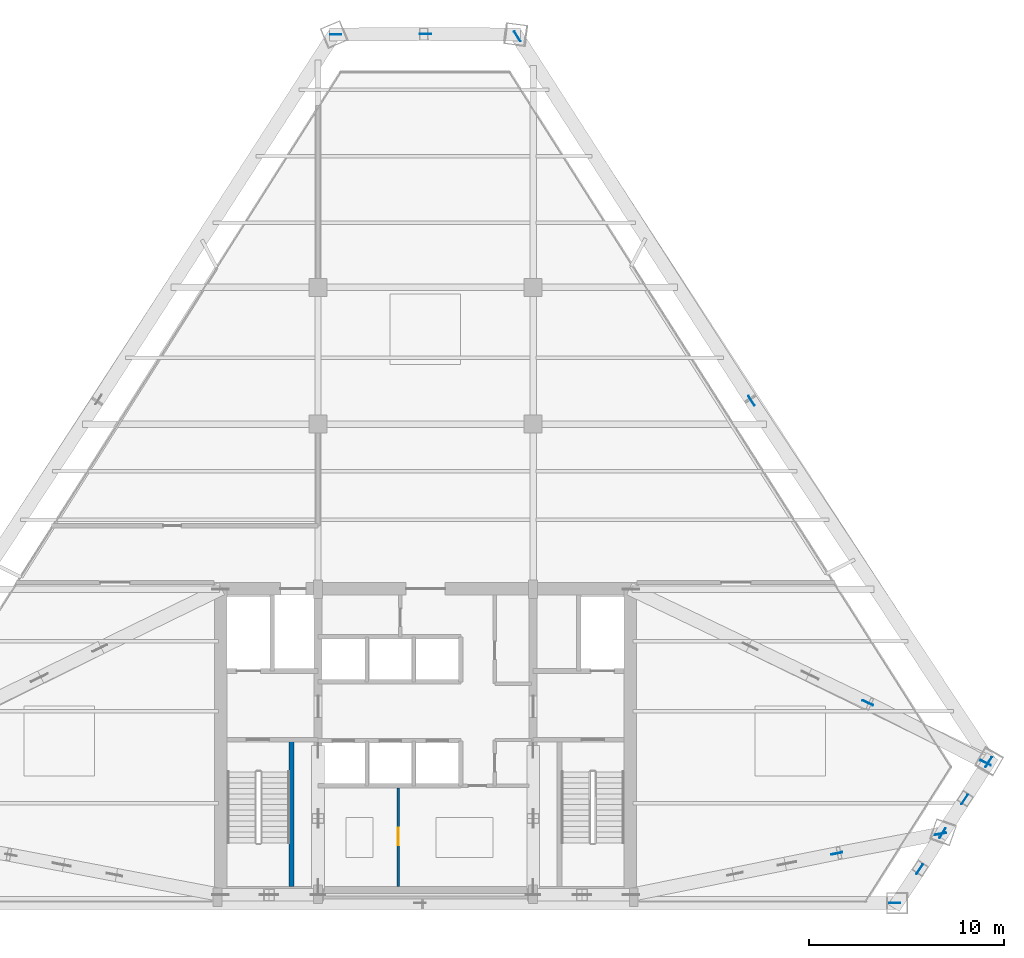
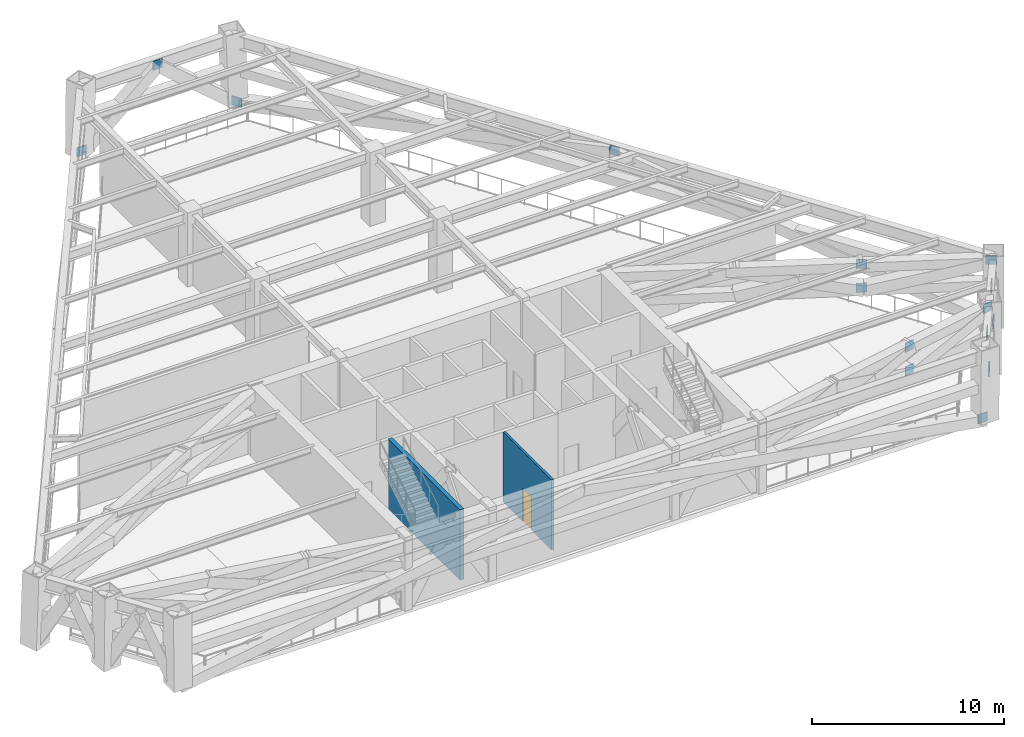
# One storey, part 5 of 9: 15 plates, 2 walls, 1 door, 1 opening.
"""IFC4 building model written with IfcOpenShell, lengths in metres."""

import ifcopenshell
import ifcopenshell.guid

model = None  # the IFC model being written
_history = None  # IfcOwnerHistory: only IFC2X3 demands one
_inside = {}  # id of a spatial element -> (the spatial element, [elements in it])
_under = {}  # id of a project, library or spatial element -> (it, [spatial elements below it])
_declared = {}  # id of a project -> (the project, [libraries it declares])
_typed = {}  # id of a type object -> (the type object, [elements of that type])
_made_of = {}  # id of a material, layer set ... -> (it, [elements and type objects made of it])


def new_model(schema):
    """Start an empty IFC model of exactly this schema.

    Asked for "IFC4X3", IfcOpenShell would pick the latest addendum, in which some entities
    have other attributes; the version numbers below select the first issue.
    IFC2X3 requires an IfcOwnerHistory on every rooted entity: one is made here for all.
    """
    global model, _history
    if schema == "IFC4X3":
        model = ifcopenshell.file(schema_version=(4, 3, 0, 0))
    else:
        model = ifcopenshell.file(schema=schema)
    _inside.clear()
    _under.clear()
    _declared.clear()
    _typed.clear()
    _made_of.clear()
    _history = None
    if model.schema == "IFC2X3":
        org = make("IfcOrganization", Name="unknown")
        user = make(
            "IfcPersonAndOrganization",
            ThePerson=make("IfcPerson", FamilyName="unknown"),
            TheOrganization=org,
        )
        app = make(
            "IfcApplication",
            ApplicationDeveloper=org,
            Version="unknown",
            ApplicationFullName="unknown",
            ApplicationIdentifier="unknown",
        )
        _history = make(
            "IfcOwnerHistory",
            OwningUser=user,
            OwningApplication=app,
            ChangeAction="ADDED",
            CreationDate=0,
        )
    return model


def make(cls, **values):
    """One entity of the class cls with the attributes given. An attribute that is None is left unset."""
    return model.create_entity(
        cls, **{name: value for name, value in values.items() if value is not None}
    )


def rooted(cls, **values):
    """An entity with a GlobalId (a new one), such as an element, a storey or a relation."""
    return make(cls, GlobalId=ifcopenshell.guid.new(), OwnerHistory=_history, **values)


def si_unit(unit_type, name, prefix=None):
    """IfcSIUnit, for example si_unit("LENGTHUNIT", "METRE", prefix="MILLI")."""
    return make("IfcSIUnit", UnitType=unit_type, Prefix=prefix, Name=name)


def assignment(units):
    """IfcUnitAssignment: the units of a project."""
    return None if units is None else make("IfcUnitAssignment", Units=units)


def point(xyz):
    """IfcCartesianPoint."""
    return None if xyz is None else make("IfcCartesianPoint", Coordinates=xyz)


def direction(xyz):
    """IfcDirection."""
    return None if xyz is None else make("IfcDirection", DirectionRatios=xyz)


def frame(location, z_axis=None, x_axis=None):
    """IfcAxis2Placement3D, a coordinate frame: its origin and axes. An axis left out is left unset."""
    return make(
        "IfcAxis2Placement3D",
        Location=point(location),
        Axis=direction(z_axis),
        RefDirection=direction(x_axis),
    )


def frame_2d(location, x_axis=None):
    """IfcAxis2Placement2D, a coordinate frame in the plane: its origin and x axis."""
    return make(
        "IfcAxis2Placement2D", Location=point(location), RefDirection=direction(x_axis)
    )


def origin():
    """The frame at (0, 0, 0) with its axes left unset."""
    return frame((0.0, 0.0, 0.0))


def origin_2d():
    """The frame at (0, 0) in the plane with its x axis left unset."""
    return frame_2d((0.0, 0.0))


def place(relative_to, where):
    """IfcLocalPlacement: puts the frame where relative to a parent placement (None: the world)."""
    return make(
        "IfcLocalPlacement", PlacementRelTo=relative_to, RelativePlacement=where
    )


def context(
    kind, dimensions, precision=None, world=None, true_north=None, identifier=None
):
    """IfcGeometricRepresentationContext, for example the 3D "Model" context."""
    return make(
        "IfcGeometricRepresentationContext",
        ContextIdentifier=identifier,
        ContextType=kind,
        CoordinateSpaceDimension=dimensions,
        Precision=precision,
        WorldCoordinateSystem=world,
        TrueNorth=true_north,
    )


def subcontext(parent, identifier, kind, view, scale=None):
    """IfcGeometricRepresentationSubContext, for example "Body" below "Model"."""
    return make(
        "IfcGeometricRepresentationSubContext",
        ContextIdentifier=identifier,
        ContextType=kind,
        ParentContext=parent,
        TargetScale=scale,
        TargetView=view,
    )


def project(units=None, contexts=None):
    """IfcProject with its units and contexts."""
    return rooted(
        "IfcProject",
        Name="project",
        RepresentationContexts=contexts,
        UnitsInContext=assignment(units),
    )


def spatial(cls, under=None, at=None, **own):
    """A site, building, storey or space (cls), placed at a placement, below another one or the project."""
    s = rooted(cls, ObjectPlacement=at, **own)
    if under is not None:
        _under.setdefault(under.id(), (under, []))[1].append(s)
    return s


def profile(cls, at=None, kind="AREA", **sizes):
    """A parametric profile (cls). Its sizes go by their IFC names, for example OverallWidth=200.0."""
    return make(cls, ProfileType=kind, Position=at, **sizes)


def rectangle(**sizes):
    """IfcRectangleProfileDef."""
    return profile("IfcRectangleProfileDef", **sizes)


def extrude(swept, where, along, depth):
    """IfcExtrudedAreaSolid: the profile swept, set in the frame where, extruded along a direction by depth."""
    return make(
        "IfcExtrudedAreaSolid",
        SweptArea=swept,
        Position=where,
        ExtrudedDirection=direction(along),
        Depth=depth,
    )


def shape(context_of_items, identifier, shape_type, items):
    """IfcShapeRepresentation: the items that make up one representation, for example the "Body"."""
    return make(
        "IfcShapeRepresentation",
        ContextOfItems=context_of_items,
        RepresentationIdentifier=identifier,
        RepresentationType=shape_type,
        Items=items,
    )


def source(mapping_origin, context_of_items, identifier, shape_type, items):
    """IfcRepresentationMap: a shape defined once, which mapped items show again and again."""
    return make(
        "IfcRepresentationMap",
        MappingOrigin=mapping_origin,
        MappedRepresentation=shape(context_of_items, identifier, shape_type, items),
    )


def transform(
    local_origin,
    x_axis=None,
    y_axis=None,
    z_axis=None,
    scale=None,
    scale2=None,
    scale3=None,
    uniform=True,
):
    """IfcCartesianTransformationOperator3D, or its non-uniform kind. x_axis, y_axis, z_axis: its Axis1, 2, 3."""
    if uniform:
        return make(
            "IfcCartesianTransformationOperator3D",
            Axis1=direction(x_axis),
            Axis2=direction(y_axis),
            LocalOrigin=point(local_origin),
            Scale=scale,
            Axis3=direction(z_axis),
        )
    return make(
        "IfcCartesianTransformationOperator3DnonUniform",
        Axis1=direction(x_axis),
        Axis2=direction(y_axis),
        LocalOrigin=point(local_origin),
        Scale=scale,
        Axis3=direction(z_axis),
        Scale2=scale2,
        Scale3=scale3,
    )


def mapped(mapping_source, mapping_target):
    """IfcMappedItem: shows the shape of a source again, moved by a transform."""
    return make(
        "IfcMappedItem", MappingSource=mapping_source, MappingTarget=mapping_target
    )


def material(Name=None, Category=None):
    """IfcMaterial."""
    return make("IfcMaterial", Name=Name, Category=Category)


def layer(
    of_material, thickness, ventilated=None, Name=None, Category=None, Priority=None
):
    """IfcMaterialLayer: one layer of a wall or slab, of a material (None: an air gap)."""
    return make(
        "IfcMaterialLayer",
        Material=of_material,
        LayerThickness=thickness,
        IsVentilated=ventilated,
        Name=Name,
        Category=Category,
        Priority=Priority,
    )


def layer_set(layers, Name=None):
    """IfcMaterialLayerSet."""
    return make("IfcMaterialLayerSet", MaterialLayers=layers, LayerSetName=Name)


def made_of(thing, what):
    """Note that an element or type object is made of a material, layer set ...; save() writes the relation."""
    if what is not None:
        _made_of.setdefault(what.id(), (what, []))[1].append(thing)
    return thing


def type_object(cls, material=None, **own):
    """A type object (cls), such as IfcWallType, which elements share."""
    return made_of(rooted(cls, **own), material)


def type_shapes(of_type, sources):
    """Give a type object the sources (RepresentationMaps) that its elements show as mapped items."""
    of_type.RepresentationMaps = sources


def element(
    cls,
    number,
    at=None,
    inside=None,
    cuts=None,
    type_object=None,
    material=None,
    context=None,
    identifier="Body",
    shape_type=None,
    held_by="IfcProductDefinitionShape",
    body=None,
    shapes=None,
    **own,
):
    """One element of the class cls, such as IfcWall. Its Tag is "e" and its number.

    at: its placement. inside: the storey or other place that contains it. cuts: it is an
    opening in that element (IfcRelVoidsElement). A single representation is given by context,
    identifier, shape_type and body (its items); several are given by shapes. held_by: the class
    of the entity that holds the representations. save() writes the other relations.
    """
    e = rooted(cls, Tag="e%d" % number, ObjectPlacement=at, **own)
    if body is not None:
        shapes = [shape(context, identifier, shape_type, body)]
    if shapes is not None:
        e.Representation = make(held_by, Representations=shapes)
    if inside is not None:
        _inside.setdefault(inside.id(), (inside, []))[1].append(e)
    if cuts is not None:
        rooted(
            "IfcRelVoidsElement", RelatingBuildingElement=cuts, RelatedOpeningElement=e
        )
    if type_object is not None:
        _typed.setdefault(type_object.id(), (type_object, []))[1].append(e)
    return made_of(e, material)


def fill(opening, filler):
    """IfcRelFillsElement: the door or window that sits in an opening."""
    return rooted(
        "IfcRelFillsElement",
        RelatingOpeningElement=opening,
        RelatedBuildingElement=filler,
    )


def aggregate(whole, parts):
    """IfcRelAggregates: a whole, such as a stair, and the parts it consists of."""
    return rooted("IfcRelAggregates", RelatingObject=whole, RelatedObjects=parts)


def save(model, path):
    """Write the relations noted so far, then the file.

    IfcRelAggregates (storeys below a building ...), IfcRelContainedInSpatialStructure (elements
    in a storey), IfcRelDefinesByType, IfcRelAssociatesMaterial and IfcRelDeclares: one each for
    every whole, place, type object, material and project.
    """
    for whole, parts in _under.values():
        aggregate(whole, parts)
    for where, things in _inside.values():
        rooted(
            "IfcRelContainedInSpatialStructure",
            RelatedElements=things,
            RelatingStructure=where,
        )
    for kind, things in _typed.values():
        rooted("IfcRelDefinesByType", RelatedObjects=things, RelatingType=kind)
    for what, things in _made_of.values():
        rooted("IfcRelAssociatesMaterial", RelatedObjects=things, RelatingMaterial=what)
    for by, libraries in _declared.values():
        rooted("IfcRelDeclares", RelatingContext=by, RelatedDefinitions=libraries)
    model.write(path)


model = new_model("IFC4")

# Units and contexts
model_context = context("Model", 3, precision=1e-05, world=origin(), true_north=direction((0.0, 1.0)))
body_context = subcontext(model_context, "Body", "Model", "MODEL_VIEW")
ifc_project = project(units=[si_unit("LENGTHUNIT", "METRE"), si_unit("AREAUNIT", "SQUARE_METRE"), si_unit("VOLUMEUNIT", "CUBIC_METRE"), si_unit("PLANEANGLEUNIT", "RADIAN"), si_unit("MASSUNIT", "GRAM", prefix="KILO")], contexts=[model_context])

# Site, building, storey
site_placement = place(None, origin())
site = spatial("IfcSite", under=ifc_project, at=site_placement, CompositionType="ELEMENT")
building_placement = place(site_placement, origin())
building = spatial("IfcBuilding", under=site, at=building_placement, Name="Varnakhor Terracotta Tower", CompositionType="ELEMENT")
storey_placement = place(building_placement, frame((0.0, 0.0, 166.300048828125)))
storey = spatial("IfcBuildingStorey", under=building, at=storey_placement, Name="L42", CompositionType="ELEMENT", Elevation=166.300048828125)

# Plates
ifc_material_1 = material(Name="Steel S460", Category="steel")
ifc_layer_1 = layer(ifc_material_1, 0.044921875, Name="Steel S460")
ifc_layer_set_1 = layer_set([ifc_layer_1], Name="Steel S460")
plate_type = type_object("IfcPlateType", Name="PLT-GUSSET-45", PredefinedType="USERDEFINED", material=ifc_layer_set_1)
shared_shape_1 = source(origin(), body_context, "Body", "SweptSolid", [
    extrude(rectangle(XDim=0.580078125, YDim=0.0400390625, at=origin_2d()), origin(), (0.0, 0.0, 1.0), 0.580078125),
])
for number, where, z_axis, x_axis, name in (
    (1, (23.998291015625, 0.0, -0.2705078125), (0.0, 0.0, 1.0), (-1.0, 0.0, 0.0), "L42 Brace End Connection Plate 138"),
    (2, (25.26953125, 1.73388671875, 3.646240234375), (0.0, 0.0, 1.0), (0.553624123152, 0.832766672162, 0.0), "L42 Brace End Connection Plate 139"),
    (3, (26.446533203125, 3.5830078125, -0.1845703125), (0.0, 0.0, 1.0), (-0.536533949373, -0.843878736058, 0.0), "L42 Brace End Connection Plate 140"),
    (4, (27.57470703125, 5.296875, 3.6455078125), (0.0, 0.0, 1.0), (0.550291304946, 0.834972741891, 0.0), "L42 Brace End Connection Plate 141"),
    (5, (28.8056640625, 7.213134765625, -0.185546875), (0.0, 0.0, 1.0), (-0.540181570626, -0.841548495784, 0.0), "L42 Brace End Connection Plate 142"),
    (6, (16.6708984375, 25.68896484375, 3.73095703125), (0.0, 0.0, 1.0), (-0.551005181773, 0.834501821244, 0.0), "L42 Brace End Connection Plate 143"),
    (7, (4.6953125, 44.32958984375, -0.2685546875), (0.0, 0.0, 1.0), (0.540460608969, -0.841369318524, 0.0), "L42 Brace End Connection Plate 144"),
    (8, (0.001708984375, 44.45166015625, 3.67431640625), (0.0, 0.0, 1.0), (-0.999988059021, 0.004886902454, 0.0), "L42 Brace End Connection Plate 145"),
    (9, (-4.59912109375, 44.429443359375, -0.2109375), (0.0, 0.0, 1.0), (0.999987366933, 0.005026527079, 0.0), "L42 Brace End Connection Plate 146"),
    (10, (21.03857421875, 2.5380859375, 2.293212890625), (0.0, 0.0, 1.0), (0.980391733715, 0.197058489953, 0.0), "L42 Brace End Connection Plate 163"),
    (11, (21.03857421875, 2.5380859375, 3.796630859375), (0.0, 0.0, 1.0), (0.980395172885, 0.19704137886, 0.0), "L42 Brace End Connection Plate 165"),
    (12, (26.33935546875, 3.5400390625, 3.79638671875), (0.0, 0.0, 1.0), (0.982651660917, 0.185460813372, 0.0), "L42 Brace End Connection Plate 166"),
    (13, (22.61962890625, 10.2421875, 2.287109375), (0.0, 0.0, 1.0), (0.901802358932, -0.432148707537, 0.0), "L42 Brace End Connection Plate 168"),
    (14, (22.61962890625, 10.2421875, 3.802734375), (0.0, 0.0, 1.0), (0.901809901212, -0.43213296805, 0.0), "L42 Brace End Connection Plate 170"),
    (15, (28.652587890625, 7.17578125, 3.802734375), (0.0, 0.0, 1.0), (0.891259941338, -0.453492797039, 0.0), "L42 Brace End Connection Plate 171"),
):
    element("IfcPlate", number, at=place(storey_placement, frame(where, z_axis=z_axis, x_axis=x_axis)), inside=storey, type_object=plate_type, Name=name, ObjectType="GUSSET PLATE", PredefinedType="USERDEFINED", context=body_context, shape_type="MappedRepresentation", body=[
        mapped(shared_shape_1, transform((0.0, 0.0, 0.0), scale=1.0)),
    ])

# Wall
ifc_material_2 = material(Name="Concrete C40/50", Category="concrete")
ifc_layer_2 = layer(ifc_material_2, 0.25, Name="Concrete C40/50")
ifc_layer_set_2 = layer_set([ifc_layer_2], Name="Concrete C40/50")
wall_type_1 = type_object("IfcWallType", Name="WAL-SHAFT-250", PredefinedType="SOLIDWALL", material=ifc_layer_set_2)
wall_1_placement = place(storey_placement, frame((-6.85009765625, 0.85009765625, 0.0), z_axis=(0.0, 0.0, 1.0), x_axis=(0.0, 1.0, 0.0)))
element("IfcWall", 16, at=wall_1_placement, inside=storey, type_object=wall_type_1, Name="L42 Stair ST-1 Bearing Shaft Wall", PredefinedType="SOLIDWALL", context=body_context, shape_type="SweptSolid", body=[
    extrude(rectangle(XDim=7.5, YDim=0.25, at=frame_2d((3.75, 0.0))), origin(), (0.0, 0.0, 1.0), 4.469970703125),
])

# Wall, opening, door
ifc_material_3 = material(Name="Acoustic Fire-Rated Partition", Category="gypsum")
ifc_layer_3 = layer(ifc_material_3, 0.139892578125, Name="Acoustic Fire-Rated Partition")
ifc_layer_set_3 = layer_set([ifc_layer_3], Name="Acoustic Fire-Rated Partition")
wall_type_2 = type_object("IfcWallType", Name="WAL-TENANCY-140", PredefinedType="PARTITIONING", material=ifc_layer_set_3)
wall_2_placement = place(storey_placement, frame((-1.39990234375, 0.85009765625, 0.0), z_axis=(0.0, 0.0, 1.0), x_axis=(0.0, 1.0, 0.0)))
wall_2 = element("IfcWall", 17, at=wall_2_placement, inside=storey, type_object=wall_type_2, Name="L42 Reclaimed Core Bay Split Wall", PredefinedType="PARTITIONING", context=body_context, shape_type="SweptSolid", body=[
    extrude(rectangle(XDim=5.02978515625, YDim=0.139892578125, at=frame_2d((2.514892578125, 0.0))), origin(), (0.0, 0.0, 1.0), 4.4619140625),
])
opening_placement = place(wall_2_placement, frame((2.10009765625, 0.0, 0.0)))
opening = element("IfcOpeningElement", 18, at=opening_placement, cuts=wall_2, Name="Opening DR-67", PredefinedType="OPENING", context=body_context, shape_type="SweptSolid", body=[
    extrude(rectangle(XDim=0.89990234375, YDim=2.10009765625, at=frame_2d((0.449951171875, 1.050048828125))), frame((0.0, 0.080078125, 0.0), z_axis=(0.0, -1.0, 0.0), x_axis=(1.0, 0.0, 0.0)), (0.0, 0.0, 1.0), 0.159912109375),
])
ifc_material_4 = material(Name="Steel Service Riser Fire Door", Category="steel")
door_type = type_object("IfcDoorType", Name="DR-RISER-900X2100", OperationType="NOTDEFINED", PredefinedType="DOOR", material=ifc_material_4)
shared_shape_2 = source(origin(), body_context, "Body", "SweptSolid", [
    extrude(rectangle(XDim=0.89990234375, YDim=2.10009765625, at=frame_2d((0.449951171875, 1.050048828125))), frame((0.0, 0.02490234375, 0.0), z_axis=(0.0, -1.0, 0.0), x_axis=(1.0, 0.0, 0.0)), (0.0, 0.0, 1.0), 0.050048828125),
])
type_shapes(door_type, [shared_shape_2])
door_placement = place(opening_placement, origin())
door = element("IfcDoor", 19, at=door_placement, inside=storey, type_object=door_type, Name="L42 Core Inner Service Door", OperationType="SINGLE_SWING_RIGHT", OverallHeight=2.10009765625, OverallWidth=0.89990234375, PredefinedType="DOOR", context=body_context, shape_type="MappedRepresentation", body=[
    mapped(shared_shape_2, transform((0.0, 0.0, 0.0), scale=1.0)),
])
fill(opening, door)

save(model, "model.ifc")
